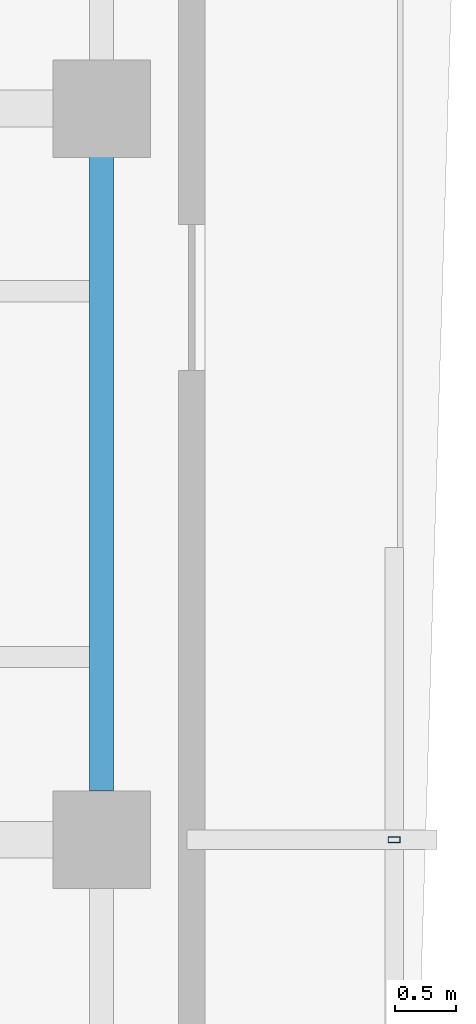
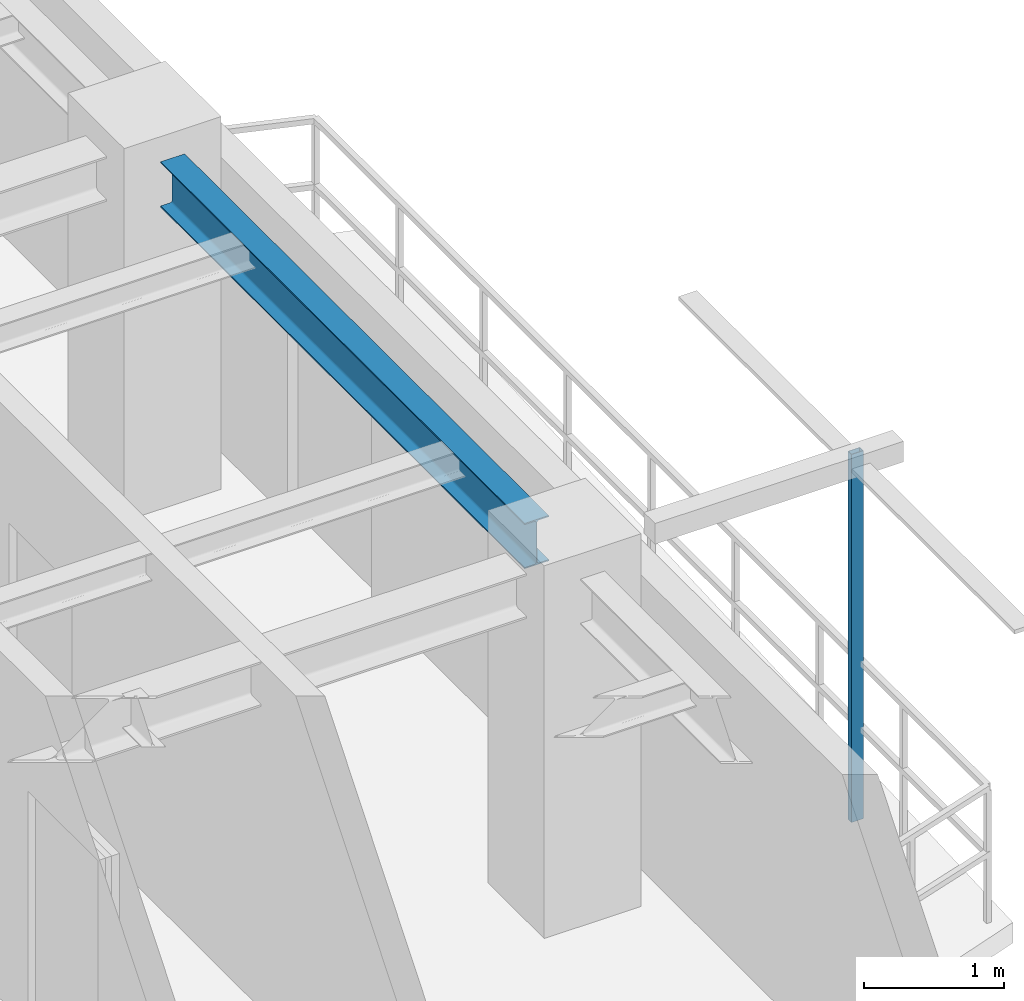
# One storey, part 7 of 16: 1 beam, 1 member.
"""IFC4 building model written with IfcOpenShell, lengths in metres."""

from ifc_helpers import new_model, si_unit, direction, frame, origin, origin_2d, place, context, subcontext, project, spatial, hollow_rectangle, i_section, extrude, source, transform, mapped, material, material_profile, profile_set, type_object, element, save


model = new_model("IFC4")

# Units and contexts
model_context = context("Model", 3, precision=1e-05, world=origin(), true_north=direction((0.0, 1.0)))
body_context = subcontext(model_context, "Body", "Model", "MODEL_VIEW")
ifc_project = project(units=[si_unit("LENGTHUNIT", "METRE"), si_unit("AREAUNIT", "SQUARE_METRE"), si_unit("VOLUMEUNIT", "CUBIC_METRE"), si_unit("PLANEANGLEUNIT", "RADIAN"), si_unit("MASSUNIT", "GRAM", prefix="KILO"), si_unit("THERMODYNAMICTEMPERATUREUNIT", "KELVIN"), si_unit("POWERUNIT", "WATT")], contexts=[model_context])

# Site, building, storey
site_placement = place(None, origin())
site = spatial("IfcSite", under=ifc_project, at=site_placement, CompositionType="ELEMENT")
building_placement = place(site_placement, origin())
building = spatial("IfcBuilding", under=site, at=building_placement, Name="Qiaomeng Ring Towers", CompositionType="ELEMENT")
storey_placement = place(building_placement, frame((0.0, 0.0, 229.5)))
storey = spatial("IfcBuildingStorey", under=building, at=storey_placement, Name="L67", CompositionType="ELEMENT", Elevation=229.5)

# Beam
ifc_material_1 = material(Name="Steel Q355B", Category="steel")
ifc_material_profile_1 = material_profile(ifc_material_1, i_section(OverallWidth=0.198974609375, OverallDepth=0.39599609375, WebThickness=0.007080078125, FlangeThickness=0.010986328125, FilletRadius=0.01611328125, at=origin_2d()), Name="HN 396x199x7x11")
ifc_profile_set_1 = profile_set([ifc_material_profile_1], Name="Steel Q355B")
beam_type = type_object("IfcBeamType", Name="STR-BM-HN396", PredefinedType="SPANDREL", material=ifc_profile_set_1)
shared_shape_1 = source(origin(), body_context, "Body", "SweptSolid", [
    extrude(i_section(OverallWidth=0.198974609375, OverallDepth=0.39599609375, WebThickness=0.007080078125, FlangeThickness=0.010986328125, FilletRadius=0.01611328125, at=origin_2d()), origin(), (0.0, 0.0, 1.0), 5.2021484375),
])
beam_placement = place(storey_placement, frame((34.949951171875, 20.39892578125, 2.83203125), z_axis=(0.0, 1.0, 0.0), x_axis=(-1.0, 0.0, 0.0)))
element("IfcBeam", 1, at=beam_placement, inside=storey, type_object=beam_type, Name="L67 beam STR-SP-L67-T1-E2-E3", PredefinedType="SPANDREL", context=body_context, shape_type="MappedRepresentation", body=[
    mapped(shared_shape_1, transform((0.0, 0.0, 0.0), x_axis=(1.0, 0.0, 0.0), y_axis=(0.0, 1.0, 0.0), z_axis=(0.0, 0.0, 1.0), scale=1.0)),
])

# Member
ifc_material_2 = material(Name="Stainless steel 316", Category="steel")
ifc_material_profile_2 = material_profile(ifc_material_2, hollow_rectangle(XDim=0.050048828125, YDim=0.10009765625, WallThickness=0.00390625, at=origin_2d()), Name="SS TRELLIS 100x50")
ifc_profile_set_2 = profile_set([ifc_material_profile_2], Name="Stainless steel 316")
member_type = type_object("IfcMemberType", Name="ARC-TR-POST2", PredefinedType="STUD", material=ifc_profile_set_2)
shared_shape_2 = source(origin(), body_context, "Body", "SweptSolid", [
    extrude(hollow_rectangle(XDim=0.050048828125, YDim=0.10009765625, WallThickness=0.00390625, at=origin_2d()), origin(), (0.0, 0.0, 1.0), 3.2099609375),
])
member_placement = place(storey_placement, frame((37.35009765625, 20.0, -0.179931640625), z_axis=(0.0, 0.0, 1.0), x_axis=(0.0, 1.0, 0.0)))
element("IfcMember", 2, at=member_placement, inside=storey, type_object=member_type, Name="L67 Outer Ventilated Trellis Post E", PredefinedType="STUD", context=body_context, shape_type="MappedRepresentation", body=[
    mapped(shared_shape_2, transform((0.0, 0.0, 0.0), x_axis=(1.0, 0.0, 0.0), y_axis=(0.0, 1.0, 0.0), z_axis=(0.0, 0.0, 1.0), scale=1.0)),
])

save(model, "model.ifc")
